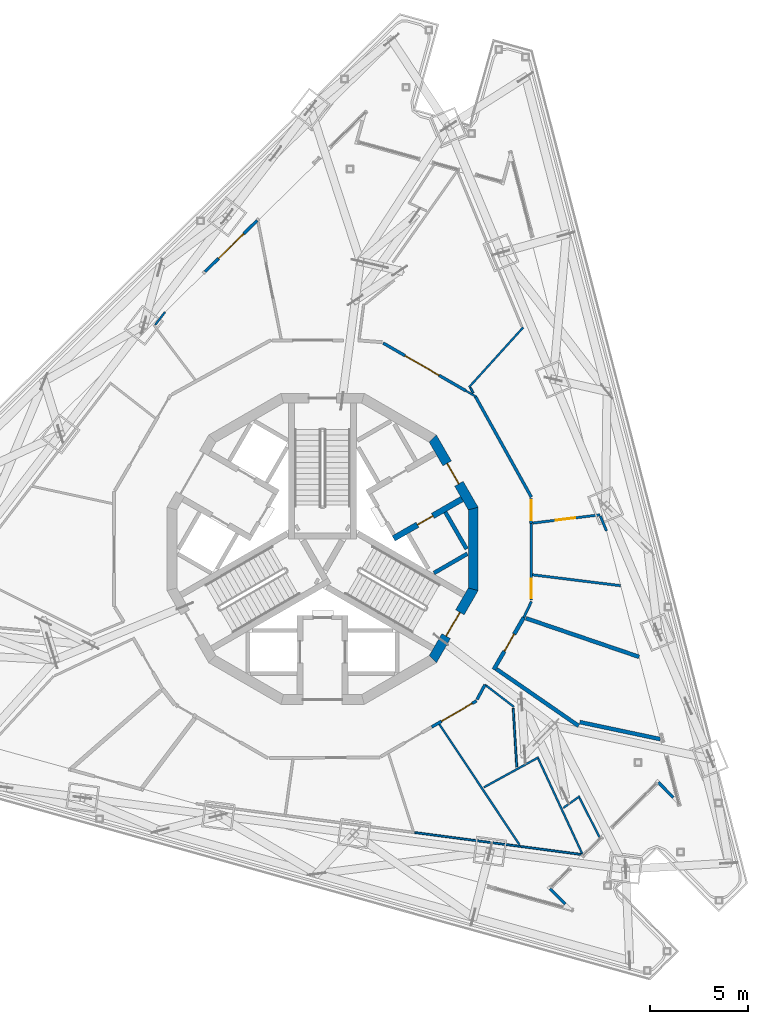
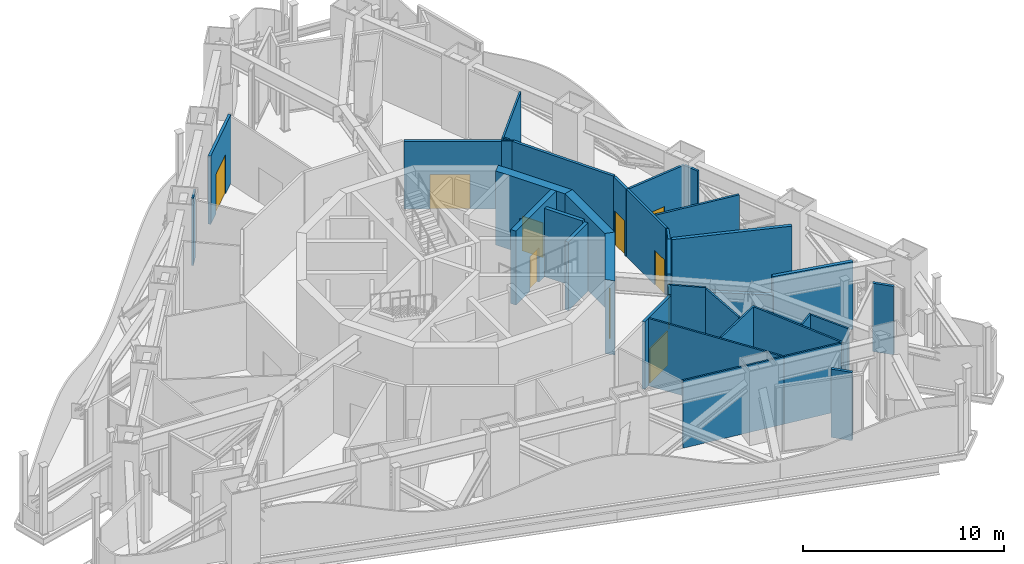
# One storey, part 12 of 22: 36 walls, 10 doors, 10 openings.
"""IFC4 building model written with IfcOpenShell, lengths in metres."""

from ifc_helpers import new_model, si_unit, direction, frame, frame_2d, origin, place, context, subcontext, project, spatial, polyline, rectangle, outline, extrude, material, layer, layer_set, type_object, element, fill, save


model = new_model("IFC4")

# Units and contexts
model_context = context("Model", 3, precision=1e-05, world=origin(), true_north=direction((0.0, 1.0)))
body_context = subcontext(model_context, "Body", "Model", "MODEL_VIEW")
ifc_project = project(units=[si_unit("LENGTHUNIT", "METRE"), si_unit("AREAUNIT", "SQUARE_METRE"), si_unit("VOLUMEUNIT", "CUBIC_METRE"), si_unit("PLANEANGLEUNIT", "RADIAN"), si_unit("MASSUNIT", "GRAM", prefix="KILO")], contexts=[model_context])

# Site, building, storey
site_placement = place(None, origin())
site = spatial("IfcSite", under=ifc_project, at=site_placement, CompositionType="ELEMENT")
building_placement = place(site_placement, origin())
building = spatial("IfcBuilding", under=site, at=building_placement, Name="Trine Commons Tower", CompositionType="ELEMENT")
storey_placement = place(building_placement, frame((0.0, 0.0, 267.300048828125)))
storey = spatial("IfcBuildingStorey", under=building, at=storey_placement, Name="L70", CompositionType="ELEMENT", Elevation=267.300048828125)

# Wall, opening, door
ifc_material_1 = material(Name="Plasterboard on steel stud", Category="steel")
ifc_layer_1 = layer(ifc_material_1, 0.14990234375)
ifc_layer_set_1 = layer_set([ifc_layer_1], Name="Plasterboard on steel stud")
wall_type_1 = type_object("IfcWallType", Name="Compartment wall 150 mm, EI 60", PredefinedType="PARTITIONING", material=ifc_layer_set_1)
wall_1_placement = place(storey_placement, frame((85.55712890625, 53.430908203125, 0.0), z_axis=(0.0, 0.0, 1.0), x_axis=(0.863745393584, 0.503928462246, 0.0)))
wall_1 = element("IfcWall", 1, at=wall_1_placement, inside=storey, type_object=wall_type_1, Name="Partition A70035", PredefinedType="PARTITIONING", context=body_context, shape_type="SweptSolid", body=[
    extrude(rectangle(XDim=2.642822265625, YDim=0.14990234375, at=frame_2d((1.3212890625, 0.0))), origin(), (0.0, 0.0, 1.0), 4.099853515625),
])
opening_1_placement = place(wall_1_placement, frame((0.583984375, 0.0, 0.0)))
opening_1 = element("IfcOpeningElement", 2, at=opening_1_placement, cuts=wall_1, Name="Opening D-A7011", PredefinedType="OPENING", context=body_context, shape_type="SweptSolid", body=[
    extrude(rectangle(XDim=1.800048828125, YDim=2.10009765625, at=frame_2d((0.89990234375, 1.050048828125))), frame((0.0, 0.0849609375, 0.0), z_axis=(0.0, -1.0, 0.0), x_axis=(1.0, 0.0, 0.0)), (0.0, 0.0, 1.0), 0.169921875),
])
ifc_material_2 = material(Name="Timber fire door set", Category="wood")
door_type_1 = type_object("IfcDoorType", Name="Double swing door 1800x2100, FD30S", OperationType="DOUBLE_DOOR_DOUBLE_SWING", PredefinedType="DOOR", material=ifc_material_2)
door_1_placement = place(opening_1_placement, origin())
door_1 = element("IfcDoor", 3, at=door_1_placement, inside=storey, type_object=door_type_1, Name="Door D-A7011", OperationType="DOUBLE_DOOR_DOUBLE_SWING", OverallHeight=2.10009765625, OverallWidth=1.800048828125, PredefinedType="DOOR", context=body_context, shape_type="SweptSolid", body=[
    extrude(rectangle(XDim=1.800048828125, YDim=2.10009765625, at=frame_2d((0.89990234375, 1.050048828125))), frame((0.0, 0.02490234375, 0.0), z_axis=(0.0, -1.0, 0.0), x_axis=(1.0, 0.0, 0.0)), (0.0, 0.0, 1.0), 0.050048828125),
])
fill(opening_1, door_1)

wall_2_placement = place(storey_placement, frame((87.293701171875, 70.552490234375, 0.0), z_axis=(0.0, 0.0, 1.0), x_axis=(-0.866013120021, 0.500021275498, 0.0)))
wall_2 = element("IfcWall", 4, at=wall_2_placement, inside=storey, type_object=wall_type_1, Name="Partition A70036", PredefinedType="PARTITIONING", context=body_context, shape_type="SweptSolid", body=[
    extrude(rectangle(XDim=4.856201171875, YDim=0.14990234375, at=frame_2d((2.42822265625, 0.0))), origin(), (0.0, 0.0, 1.0), 4.099853515625),
])
opening_2_placement = place(wall_2_placement, frame((1.56787109375, 0.0, 0.0)))
opening_2 = element("IfcOpeningElement", 5, at=opening_2_placement, cuts=wall_2, Name="Opening D-A7012", PredefinedType="OPENING", context=body_context, shape_type="SweptSolid", body=[
    extrude(rectangle(XDim=2.0, YDim=2.10009765625, at=frame_2d((1.0, 1.050048828125))), frame((0.0, 0.0849609375, 0.0), z_axis=(0.0, -1.0, 0.0), x_axis=(1.0, 0.0, 0.0)), (0.0, 0.0, 1.0), 0.169921875),
])
door_type_2 = type_object("IfcDoorType", Name="Double swing door 2000x2100, FD30S", OperationType="DOUBLE_DOOR_DOUBLE_SWING", PredefinedType="DOOR", material=ifc_material_2)
door_2_placement = place(opening_2_placement, origin())
door_2 = element("IfcDoor", 6, at=door_2_placement, inside=storey, type_object=door_type_2, Name="Door D-A7012", OperationType="DOUBLE_DOOR_DOUBLE_SWING", OverallHeight=2.10009765625, OverallWidth=2.0, PredefinedType="DOOR", context=body_context, shape_type="SweptSolid", body=[
    extrude(rectangle(XDim=2.0, YDim=2.10009765625, at=frame_2d((1.0, 1.050048828125))), frame((0.0, 0.02490234375, 0.0), z_axis=(0.0, -1.0, 0.0), x_axis=(1.0, 0.0, 0.0)), (0.0, 0.0, 1.0), 0.050048828125),
])
fill(opening_2, door_2)

# Walls
wall_3_placement = place(storey_placement, frame((87.86376953125, 54.828369140625, 0.0), z_axis=(0.0, 0.0, 1.0), x_axis=(0.47413366353, 0.880452877279, 0.0)))
element("IfcWall", 7, at=wall_3_placement, inside=storey, type_object=wall_type_1, Name="Partition A70047", PredefinedType="PARTITIONING", context=body_context, shape_type="SweptSolid", body=[
    extrude(rectangle(XDim=0.8603515625, YDim=0.14990234375, at=frame_2d((0.43017578125, 0.0))), origin(), (0.0, 0.0, 1.0), 4.099853515625),
])
wall_4_placement = place(storey_placement, frame((87.77490234375, 70.27490234375, 0.0), z_axis=(0.0, 0.0, 1.0), x_axis=(0.485907259315, -0.87401037485, 0.0)))
element("IfcWall", 8, at=wall_4_placement, inside=storey, type_object=wall_type_1, Name="Partition A70048", PredefinedType="PARTITIONING", context=body_context, shape_type="SweptSolid", body=[
    extrude(rectangle(XDim=5.881103515625, YDim=0.14990234375, at=frame_2d((2.9404296875, 0.0))), origin(), (0.0, 0.0, 1.0), 4.099853515625),
])

# Wall, opening, door
wall_5_placement = place(storey_placement, frame((90.62060546875, 63.80517578125, 0.0), z_axis=(0.0, 0.0, 1.0), x_axis=(0.0, 1.0, 0.0)))
wall_5 = element("IfcWall", 9, at=wall_5_placement, inside=storey, type_object=wall_type_1, Name="Partition A70060", PredefinedType="PARTITIONING", context=body_context, shape_type="SweptSolid", body=[
    extrude(rectangle(XDim=1.2607421875, YDim=0.14990234375, at=frame_2d((0.63037109375, 0.0))), origin(), (0.0, 0.0, 1.0), 4.099853515625),
])
opening_3_placement = place(wall_5_placement, frame((0.160888671875, 0.0, 0.0)))
opening_3 = element("IfcOpeningElement", 10, at=opening_3_placement, cuts=wall_5, Name="Opening D-A7015", PredefinedType="OPENING", context=body_context, shape_type="SweptSolid", body=[
    extrude(rectangle(XDim=1.0, YDim=2.10009765625, at=frame_2d((0.5, 1.050048828125))), frame((0.0, 0.0849609375, 0.0), z_axis=(0.0, -1.0, 0.0), x_axis=(1.0, 0.0, 0.0)), (0.0, 0.0, 1.0), 0.169921875),
])
door_type_3 = type_object("IfcDoorType", Name="Double swing door 1000x2100, FD30S", OperationType="DOUBLE_DOOR_DOUBLE_SWING", PredefinedType="DOOR", material=ifc_material_2)
door_3_placement = place(opening_3_placement, origin())
door_3 = element("IfcDoor", 11, at=door_3_placement, inside=storey, type_object=door_type_3, Name="Door D-A7015", OperationType="DOUBLE_DOOR_DOUBLE_SWING", OverallHeight=2.10009765625, OverallWidth=1.0, PredefinedType="DOOR", context=body_context, shape_type="SweptSolid", body=[
    extrude(rectangle(XDim=1.0, YDim=2.10009765625, at=frame_2d((0.5, 1.050048828125))), frame((0.0, 0.02490234375, 0.0), z_axis=(0.0, -1.0, 0.0), x_axis=(1.0, 0.0, 0.0)), (0.0, 0.0, 1.0), 0.050048828125),
])
fill(opening_3, door_3)

ifc_layer_2 = layer(ifc_material_1, 0.199951171875)
ifc_layer_set_2 = layer_set([ifc_layer_2], Name="Plasterboard on steel stud")
wall_type_2 = type_object("IfcWallType", Name="Fire wall 200 mm, EI 120", PredefinedType="PARTITIONING", material=ifc_layer_set_2)
wall_6_placement = place(storey_placement, frame((90.24609375, 59.005859375, 0.0), z_axis=(0.0, 0.0, 1.0), x_axis=(-0.499964040811, -0.866046163836, 0.0)))
wall_6 = element("IfcWall", 12, at=wall_6_placement, inside=storey, type_object=wall_type_2, Name="Partition A70051", PredefinedType="PARTITIONING", context=body_context, shape_type="SweptSolid", body=[
    extrude(rectangle(XDim=3.061767578125, YDim=0.199951171875, at=frame_2d((1.53076171875, 0.0))), origin(), (0.0, 0.0, 1.0), 4.099853515625),
])
opening_4_placement = place(wall_6_placement, frame((0.98095703125, 0.0, 0.0)))
opening_4 = element("IfcOpeningElement", 13, at=opening_4_placement, cuts=wall_6, Name="Opening D-A7013", PredefinedType="OPENING", context=body_context, shape_type="SweptSolid", body=[
    extrude(rectangle(XDim=1.0, YDim=2.10009765625, at=frame_2d((0.5, 1.050048828125))), frame((0.0, 0.10986328125, 0.0), z_axis=(0.0, -1.0, 0.0), x_axis=(1.0, 0.0, 0.0)), (0.0, 0.0, 1.0), 0.219970703125),
])
door_type_4 = type_object("IfcDoorType", Name="Single swing door 1000x2100, FD30S", OperationType="SINGLE_SWING_LEFT", PredefinedType="DOOR", material=ifc_material_2)
door_4_placement = place(opening_4_placement, origin())
door_4 = element("IfcDoor", 14, at=door_4_placement, inside=storey, type_object=door_type_4, Name="Door D-A7013", OperationType="SINGLE_SWING_LEFT", OverallHeight=2.10009765625, OverallWidth=1.0, PredefinedType="DOOR", context=body_context, shape_type="SweptSolid", body=[
    extrude(rectangle(XDim=1.0, YDim=2.10009765625, at=frame_2d((0.5, 1.050048828125))), frame((0.0, 0.02490234375, 0.0), z_axis=(0.0, -1.0, 0.0), x_axis=(1.0, 0.0, 0.0)), (0.0, 0.0, 1.0), 0.050048828125),
])
fill(opening_4, door_4)

# Walls
wall_7_placement = place(storey_placement, frame((88.856201171875, 56.378173828125, 0.0), z_axis=(0.0, 0.0, 1.0), x_axis=(0.82261919735, -0.568592697941, 0.0)))
element("IfcWall", 15, at=wall_7_placement, inside=storey, type_object=wall_type_2, Name="Partition A70052", PredefinedType="PARTITIONING", context=body_context, shape_type="SweptSolid", body=[
    extrude(rectangle(XDim=5.081298828125, YDim=0.199951171875, at=frame_2d((2.54052734375, 0.0))), origin(), (0.0, 0.0, 1.0), 3.119873046875),
])
wall_8_placement = place(storey_placement, frame((90.361328125, 58.96630859375, 0.0), z_axis=(0.0, 0.0, 1.0), x_axis=(0.946468661958, -0.322795712381, 0.0)))
element("IfcWall", 16, at=wall_8_placement, inside=storey, type_object=wall_type_2, Name="Partition A70056", PredefinedType="PARTITIONING", context=body_context, shape_type="SweptSolid", body=[
    extrude(rectangle(XDim=6.08154296875, YDim=0.199951171875, at=frame_2d((3.040771484375, 0.0))), origin(), (0.0, 0.0, 1.0), 4.099853515625),
])
wall_9_placement = place(storey_placement, frame((93.097412109375, 53.68017578125, 0.0), z_axis=(0.0, 0.0, 1.0), x_axis=(0.978347889036, -0.206967166526, 0.0)))
element("IfcWall", 17, at=wall_9_placement, inside=storey, type_object=wall_type_2, Name="Partition A70064", PredefinedType="PARTITIONING", context=body_context, shape_type="SweptSolid", body=[
    extrude(rectangle(XDim=4.1923828125, YDim=0.199951171875, at=frame_2d((2.09619140625, 0.0))), origin(), (0.0, 0.0, 1.0), 4.099853515625),
])

# Wall, opening, door
ifc_material_3 = material(Name="Aluminium-framed insulated wall panel", Category="aluminium")
ifc_layer_3 = layer(ifc_material_3, 0.14990234375)
ifc_layer_set_3 = layer_set([ifc_layer_3], Name="Aluminium-framed insulated wall panel")
wall_type_3 = type_object("IfcWallType", Name="Glazed entrance wall 150, EI 60", PredefinedType="SOLIDWALL", material=ifc_layer_set_3)
wall_10_placement = place(storey_placement, frame((74.007568359375, 76.60791015625, 0.0), z_axis=(0.0, 0.0, 1.0), x_axis=(0.713243750548, 0.700916080786, 0.0)))
wall_10 = element("IfcWall", 18, at=wall_10_placement, inside=storey, type_object=wall_type_3, Name="Glazed entrance wall L70 F1 7", PredefinedType="SOLIDWALL", context=body_context, shape_type="SweptSolid", body=[
    extrude(rectangle(XDim=3.742919921875, YDim=0.14990234375, at=frame_2d((1.87158203125, 0.0))), origin(), (0.0, 0.0, 1.0), 4.14990234375),
])
opening_5_placement = place(wall_10_placement, frame((0.971435546875, 0.0, 0.0)))
opening_5 = element("IfcOpeningElement", 19, at=opening_5_placement, cuts=wall_10, Name="Opening SD-L70-F1-07", PredefinedType="OPENING", context=body_context, shape_type="SweptSolid", body=[
    extrude(rectangle(XDim=1.800048828125, YDim=2.39990234375, at=frame_2d((0.89990234375, 1.199951171875))), frame((0.0, 0.0849609375, 0.0), z_axis=(0.0, -1.0, 0.0), x_axis=(1.0, 0.0, 0.0)), (0.0, 0.0, 1.0), 0.169921875),
])
ifc_material_4 = material(Name="Anodised aluminium frame with double glazing", Category="aluminium")
door_type_5 = type_object("IfcDoorType", Name="Sliding double door 1800x2400", OperationType="DOUBLE_DOOR_SLIDING", PredefinedType="DOOR", material=ifc_material_4)
door_5_placement = place(opening_5_placement, origin())
door_5 = element("IfcDoor", 20, at=door_5_placement, inside=storey, type_object=door_type_5, Name="Loggia door L70 F1 7", OperationType="DOUBLE_DOOR_SLIDING", OverallHeight=2.39990234375, OverallWidth=1.800048828125, PredefinedType="DOOR", context=body_context, shape_type="SweptSolid", body=[
    extrude(rectangle(XDim=1.800048828125, YDim=2.39990234375, at=frame_2d((0.89990234375, 1.199951171875))), frame((0.0, 0.02490234375, 0.0), z_axis=(0.0, -1.0, 0.0), x_axis=(1.0, 0.0, 0.0)), (0.0, 0.0, 1.0), 0.050048828125),
])
fill(opening_5, door_5)

# Walls
ifc_layer_4 = layer(ifc_material_3, 0.14990234375)
ifc_layer_set_4 = layer_set([ifc_layer_4], Name="Aluminium-framed insulated wall panel")
wall_type_4 = type_object("IfcWallType", Name="Glazed frame wall 150, EI 60", PredefinedType="SOLIDWALL", material=ifc_layer_set_4)
wall_11_placement = place(storey_placement, frame((97.966796875, 49.731201171875, 0.0), z_axis=(0.0, 0.0, 1.0), x_axis=(-0.700999978355, 0.71316129336, 0.0)))
element("IfcWall", 21, at=wall_11_placement, inside=storey, type_object=wall_type_4, Name="Glazed frame wall L70 R6", PredefinedType="SOLIDWALL", context=body_context, shape_type="SweptSolid", body=[
    extrude(outline(polyline([(0.1494140625, 0.074951171875), (0.1494140625, -0.074951171875), (1.235107421875, -0.074951171875), (1.235107421875, 0.074951171875), (0.1494140625, 0.074951171875)])), origin(), (0.0, 0.0, 1.0), 4.14990234375),
])
wall_12_placement = place(storey_placement, frame((91.510498046875, 45.2724609375, 0.0), z_axis=(0.0, 0.0, 1.0), x_axis=(0.700999978355, -0.71316129336, 0.0)))
element("IfcWall", 22, at=wall_12_placement, inside=storey, type_object=wall_type_4, Name="Glazed frame wall L70 R8", PredefinedType="SOLIDWALL", context=body_context, shape_type="SweptSolid", body=[
    extrude(outline(polyline([(0.110107421875, 0.074951171875), (0.110107421875, -0.074951171875), (1.19580078125, -0.074951171875), (1.19580078125, 0.074951171875), (0.110107421875, 0.074951171875)])), origin(), (0.0, 0.0, 1.0), 4.14990234375),
])
ifc_layer_5 = layer(ifc_material_1, 0.10009765625)
ifc_layer_set_5 = layer_set([ifc_layer_5], Name="Plasterboard on steel stud")
wall_type_5 = type_object("IfcWallType", Name="Partition wall 100 mm stud, not rated", PredefinedType="PARTITIONING", material=ifc_layer_set_5)
wall_13_placement = place(storey_placement, frame((71.479736328125, 73.91259765625, 0.0), z_axis=(0.0, 0.0, 1.0), x_axis=(0.608757578609, 0.793356294792, 0.0)))
element("IfcWall", 23, at=wall_13_placement, inside=storey, type_object=wall_type_5, Name="Partition A70020", PredefinedType="PARTITIONING", context=body_context, shape_type="SweptSolid", body=[
    extrude(rectangle(XDim=0.8173828125, YDim=0.10009765625, at=frame_2d((0.40869140625, 0.0))), origin(), (0.0, 0.0, 1.0), 4.099853515625),
])
wall_14_placement = place(storey_placement, frame((84.695556640625, 48.056396484375, 0.0), z_axis=(0.0, 0.0, 1.0), x_axis=(0.991449251055, -0.130492844946, 0.0)))
element("IfcWall", 24, at=wall_14_placement, inside=storey, type_object=wall_type_5, Name="Partition A70041", PredefinedType="PARTITIONING", context=body_context, shape_type="SweptSolid", body=[
    extrude(rectangle(XDim=5.436767578125, YDim=0.10009765625, at=frame_2d((2.71826171875, 0.0))), origin(), (0.0, 0.0, 1.0), 4.099853515625),
])
wall_15_placement = place(storey_placement, frame((85.941162109375, 53.576171875, 0.0), z_axis=(0.0, 0.0, 1.0), x_axis=(0.55418052951, -0.832396504505, 0.0)))
element("IfcWall", 25, at=wall_15_placement, inside=storey, type_object=wall_type_5, Name="Partition A70042", PredefinedType="PARTITIONING", context=body_context, shape_type="SweptSolid", body=[
    extrude(rectangle(XDim=7.373779296875, YDim=0.10009765625, at=frame_2d((3.68701171875, 0.0))), origin(), (0.0, 0.0, 1.0), 4.099853515625),
])
wall_16_placement = place(storey_placement, frame((87.295166015625, 70.5517578125, 0.0), z_axis=(0.0, 0.0, 1.0), x_axis=(0.865955154139, -0.50012165622, 0.0)))
element("IfcWall", 26, at=wall_16_placement, inside=storey, type_object=wall_type_5, Name="Partition A70044", PredefinedType="PARTITIONING", context=body_context, shape_type="SweptSolid", body=[
    extrude(rectangle(XDim=0.599853515625, YDim=0.10009765625, at=frame_2d((0.2998046875, 0.0))), origin(), (0.0, 0.0, 1.0), 4.099853515625),
])
wall_17_placement = place(storey_placement, frame((87.455810546875, 70.73193359375, 0.0), z_axis=(0.0, 0.0, 1.0), x_axis=(0.671305300517, 0.74118094518, 0.0)))
element("IfcWall", 27, at=wall_17_placement, inside=storey, type_object=wall_type_5, Name="Partition A70045", PredefinedType="PARTITIONING", context=body_context, shape_type="SweptSolid", body=[
    extrude(rectangle(XDim=4.10888671875, YDim=0.10009765625, at=frame_2d((2.054443359375, 0.0))), origin(), (0.0, 0.0, 1.0), 4.099853515625),
])
wall_18_placement = place(storey_placement, frame((87.52490234375, 70.707763671875, 0.0), z_axis=(0.0, 0.0, 1.0), x_axis=(0.499790804427, -0.866146149221, 0.0)))
element("IfcWall", 28, at=wall_18_placement, inside=storey, type_object=wall_type_5, Name="Partition A70046", PredefinedType="PARTITIONING", context=body_context, shape_type="SweptSolid", body=[
    extrude(rectangle(XDim=0.309326171875, YDim=0.10009765625, at=frame_2d((0.15478515625, 0.0))), origin(), (0.0, 0.0, 1.0), 4.099853515625),
])
wall_19_placement = place(storey_placement, frame((88.273193359375, 55.58447265625, 0.0), z_axis=(0.0, 0.0, 1.0), x_axis=(0.793344915164, -0.608772408691, 0.0)))
element("IfcWall", 29, at=wall_19_placement, inside=storey, type_object=wall_type_5, Name="Partition A70049", PredefinedType="PARTITIONING", context=body_context, shape_type="SweptSolid", body=[
    extrude(rectangle(XDim=1.84912109375, YDim=0.10009765625, at=frame_2d((0.924560546875, 0.0))), origin(), (0.0, 0.0, 1.0), 4.099853515625),
])
wall_20_placement = place(storey_placement, frame((89.707275390625, 54.3798828125, 0.0), z_axis=(0.0, 0.0, 1.0), x_axis=(0.060522186199, -0.998166852274, 0.0)))
element("IfcWall", 30, at=wall_20_placement, inside=storey, type_object=wall_type_5, Name="Partition A70053", PredefinedType="PARTITIONING", context=body_context, shape_type="SweptSolid", body=[
    extrude(rectangle(XDim=2.989013671875, YDim=0.10009765625, at=frame_2d((1.49462890625, 0.0))), origin(), (0.0, 0.0, 1.0), 4.099853515625),
])
wall_21_placement = place(storey_placement, frame((90.090576171875, 47.34619140625, 0.0), z_axis=(0.0, 0.0, 1.0), x_axis=(0.991447845086, -0.13050352667, 0.0)))
element("IfcWall", 31, at=wall_21_placement, inside=storey, type_object=wall_type_5, Name="Partition A70054", PredefinedType="PARTITIONING", context=body_context, shape_type="SweptSolid", body=[
    extrude(rectangle(XDim=3.09228515625, YDim=0.10009765625, at=frame_2d((1.546142578125, 0.0))), origin(), (0.0, 0.0, 1.0), 4.099853515625),
])
wall_22_placement = place(storey_placement, frame((88.21533203125, 50.3583984375, 0.0), z_axis=(0.0, 0.0, 1.0), x_axis=(0.876437668336, 0.481515330516, 0.0)))
element("IfcWall", 32, at=wall_22_placement, inside=storey, type_object=wall_type_5, Name="Partition A70057", PredefinedType="PARTITIONING", context=body_context, shape_type="SweptSolid", body=[
    extrude(rectangle(XDim=3.18310546875, YDim=0.10009765625, at=frame_2d((1.591552734375, 0.0))), origin(), (0.0, 0.0, 1.0), 4.099853515625),
])
wall_23_placement = place(storey_placement, frame((90.98388671875, 51.818359375, 0.0), z_axis=(0.0, 0.0, 1.0), x_axis=(0.419628093876, -0.907696129126, 0.0)))
element("IfcWall", 33, at=wall_23_placement, inside=storey, type_object=wall_type_5, Name="Partition A70062", PredefinedType="PARTITIONING", context=body_context, shape_type="SweptSolid", body=[
    extrude(rectangle(XDim=5.350830078125, YDim=0.10009765625, at=frame_2d((2.67529296875, 0.0))), origin(), (0.0, 0.0, 1.0), 4.099853515625),
])
wall_24_placement = place(storey_placement, frame((92.261962890625, 49.3134765625, 0.0), z_axis=(0.0, 0.0, 1.0), x_axis=(0.814587044856, 0.580041331589, 0.0)))
element("IfcWall", 34, at=wall_24_placement, inside=storey, type_object=wall_type_5, Name="Partition A70063", PredefinedType="PARTITIONING", context=body_context, shape_type="SweptSolid", body=[
    extrude(rectangle(XDim=1.023193359375, YDim=0.10009765625, at=frame_2d((0.51171875, 0.0))), origin(), (0.0, 0.0, 1.0), 4.099853515625),
])
wall_25_placement = place(storey_placement, frame((93.0810546875, 49.826171875, 0.0), z_axis=(0.0, 0.0, 1.0), x_axis=(0.453150223241, -0.891434167607, 0.0)))
element("IfcWall", 35, at=wall_25_placement, inside=storey, type_object=wall_type_5, Name="Partition A70065", PredefinedType="PARTITIONING", context=body_context, shape_type="SweptSolid", body=[
    extrude(rectangle(XDim=2.249755859375, YDim=0.10009765625, at=frame_2d((1.125, 0.0))), origin(), (0.0, 0.0, 1.0), 4.099853515625),
])

# Wall, opening, door
ifc_material_5 = material(Name="Concrete C50/60", Category="concrete")
ifc_layer_6 = layer(ifc_material_5, 0.300048828125)
ifc_layer_set_6 = layer_set([ifc_layer_6], Name="Concrete C50/60")
wall_type_6 = type_object("IfcWallType", Name="RC shear wall 300 mm, C50/60", PredefinedType="SHEAR", material=ifc_layer_set_6)
wall_26_placement = place(storey_placement, frame((83.618896484375, 63.031005859375, 0.0), z_axis=(0.0, 0.0, 1.0), x_axis=(0.866071331441, 0.499920442526, 0.0)))
wall_26 = element("IfcWall", 36, at=wall_26_placement, inside=storey, type_object=wall_type_6, Name="Core cross wall SWD-06 L70", PredefinedType="SHEAR", context=body_context, shape_type="SweptSolid", body=[
    extrude(rectangle(XDim=4.020751953125, YDim=0.300048828125, at=frame_2d((2.01025390625, 0.0))), origin(), (0.0, 0.0, 1.0), 4.5),
])
opening_6_placement = place(wall_26_placement, frame((1.400390625, 0.0, 0.0)))
opening_6 = element("IfcOpeningElement", 37, at=opening_6_placement, cuts=wall_26, Name="Opening K18.11", PredefinedType="OPENING", context=body_context, shape_type="SweptSolid", body=[
    extrude(rectangle(XDim=0.89990234375, YDim=2.10009765625, at=frame_2d((0.449951171875, 1.050048828125))), frame((0.0, 0.159912109375, 0.0), z_axis=(0.0, -1.0, 0.0), x_axis=(1.0, 0.0, 0.0)), (0.0, 0.0, 1.0), 0.320068359375),
])
ifc_material_6 = material(Name="Steel door leaf, fire-rated", Category="steel")
door_type_6 = type_object("IfcDoorType", Name="Core room door, single leaf 900 x 2100, FD30S", OperationType="SINGLE_SWING_LEFT", PredefinedType="DOOR", material=ifc_material_6)
door_6_placement = place(opening_6_placement, frame((0.89990234375, 0.0, 0.0), z_axis=(0.0, 0.0, 1.0), x_axis=(-1.0, 0.0, 0.0)))
door_6 = element("IfcDoor", 38, at=door_6_placement, inside=storey, type_object=door_type_6, Name="Door to Comms room L70", OperationType="SINGLE_SWING_LEFT", OverallHeight=2.10009765625, OverallWidth=0.89990234375, PredefinedType="DOOR", context=body_context, shape_type="SweptSolid", body=[
    extrude(rectangle(XDim=0.89990234375, YDim=2.10009765625, at=frame_2d((0.449951171875, 1.050048828125))), frame((0.0, 0.02490234375, 0.0), z_axis=(0.0, -1.0, 0.0), x_axis=(1.0, 0.0, 0.0)), (0.0, 0.0, 1.0), 0.050048828125),
])
fill(opening_6, door_6)

# Wall
ifc_layer_7 = layer(ifc_material_5, 0.5)
ifc_layer_set_7 = layer_set([ifc_layer_7], Name="Concrete C50/60")
wall_type_7 = type_object("IfcWallType", Name="RC shear wall 500 mm, C50/60", PredefinedType="SHEAR", material=ifc_layer_set_7)
wall_27_placement = place(storey_placement, frame((87.670654296875, 60.377685546875, 0.0), z_axis=(0.0, 0.0, 1.0), x_axis=(0.0, 1.0, 0.0)))
element("IfcWall", 39, at=wall_27_placement, inside=storey, type_object=wall_type_7, Name="Core wall CWH-01 L70", PredefinedType="SHEAR", context=body_context, shape_type="SweptSolid", body=[
    extrude(outline(polyline([(0.0, -0.25), (4.24462890625, -0.25), (4.110595703125, 0.25), (0.134033203125, 0.25), (0.0, -0.25)])), origin(), (0.0, 0.0, 1.0), 4.5),
])

# Wall, opening, door
wall_28_placement = place(storey_placement, frame((87.7041015625, 64.497314453125, 0.0), z_axis=(0.0, 0.0, 1.0), x_axis=(-0.499992968425, 0.866029463428, 0.0)))
wall_28 = element("IfcWall", 40, at=wall_28_placement, inside=storey, type_object=wall_type_7, Name="Core wall CWH-02 L70", PredefinedType="SHEAR", context=body_context, shape_type="SweptSolid", body=[
    extrude(outline(polyline([(0.0, -0.25), (4.24462890625, -0.25), (4.110595703125, 0.25), (0.134033203125, 0.25), (0.0, -0.25)])), origin(), (0.0, 0.0, 1.0), 4.5),
])
opening_7_placement = place(wall_28_placement, frame((1.5224609375, 0.0, 0.0)))
opening_7 = element("IfcOpeningElement", 41, at=opening_7_placement, cuts=wall_28, Name="Opening K18.04", PredefinedType="OPENING", context=body_context, shape_type="SweptSolid", body=[
    extrude(rectangle(XDim=1.199951171875, YDim=2.10009765625, at=frame_2d((0.60009765625, 1.050048828125))), frame((0.0, 0.260009765625, 0.0), z_axis=(0.0, -1.0, 0.0), x_axis=(1.0, 0.0, 0.0)), (0.0, 0.0, 1.0), 0.52001953125),
])
ifc_material_7 = material(Name="Steel door leaves, fire-rated", Category="steel")
door_type_7 = type_object("IfcDoorType", Name="Lobby door, double leaf 1200 x 2100, FD60", OperationType="DOUBLE_DOOR_SINGLE_SWING", PredefinedType="DOOR", material=ifc_material_7)
door_7_placement = place(opening_7_placement, origin())
door_7 = element("IfcDoor", 42, at=door_7_placement, inside=storey, type_object=door_type_7, Name="Lobby door, Core lounge L70", OperationType="DOUBLE_DOOR_SINGLE_SWING", OverallHeight=2.10009765625, OverallWidth=1.199951171875, PredefinedType="DOOR", context=body_context, shape_type="SweptSolid", body=[
    extrude(rectangle(XDim=1.199951171875, YDim=2.10009765625, at=frame_2d((0.60009765625, 1.050048828125))), frame((0.0, 0.02490234375, 0.0), z_axis=(0.0, -1.0, 0.0), x_axis=(1.0, 0.0, 0.0)), (0.0, 0.0, 1.0), 0.050048828125),
])
fill(opening_7, door_7)

wall_29_placement = place(storey_placement, frame((85.581787109375, 56.82666015625, 0.0), z_axis=(0.0, 0.0, 1.0), x_axis=(0.499992968425, 0.866029463428, 0.0)))
wall_29 = element("IfcWall", 43, at=wall_29_placement, inside=storey, type_object=wall_type_7, Name="Core wall CWH-12 L70", PredefinedType="SHEAR", context=body_context, shape_type="SweptSolid", body=[
    extrude(outline(polyline([(0.0, -0.25), (4.24462890625, -0.25), (4.110595703125, 0.25), (0.134033203125, 0.25), (0.0, -0.25)])), origin(), (0.0, 0.0, 1.0), 4.5),
])
opening_8_placement = place(wall_29_placement, frame((1.42236328125, 0.0, 0.0)))
opening_8 = element("IfcOpeningElement", 44, at=opening_8_placement, cuts=wall_29, Name="Opening K18.03", PredefinedType="OPENING", context=body_context, shape_type="SweptSolid", body=[
    extrude(rectangle(XDim=1.39990234375, YDim=2.10009765625, at=frame_2d((0.699951171875, 1.050048828125))), frame((0.0, 0.260009765625, 0.0), z_axis=(0.0, -1.0, 0.0), x_axis=(1.0, 0.0, 0.0)), (0.0, 0.0, 1.0), 0.52001953125),
])
door_type_8 = type_object("IfcDoorType", Name="Stair door, double leaf 1400 x 2100, FD90", OperationType="DOUBLE_DOOR_SINGLE_SWING", PredefinedType="DOOR", material=ifc_material_7)
door_8_placement = place(opening_8_placement, origin())
door_8 = element("IfcDoor", 45, at=door_8_placement, inside=storey, type_object=door_type_8, Name="Stair door to Exit stair ST3D L70", OperationType="DOUBLE_DOOR_SINGLE_SWING", OverallHeight=2.10009765625, OverallWidth=1.39990234375, PredefinedType="DOOR", context=body_context, shape_type="SweptSolid", body=[
    extrude(rectangle(XDim=1.39990234375, YDim=2.10009765625, at=frame_2d((0.699951171875, 1.050048828125))), frame((0.0, 0.02490234375, 0.0), z_axis=(0.0, -1.0, 0.0), x_axis=(1.0, 0.0, 0.0)), (0.0, 0.0, 1.0), 0.050048828125),
])
fill(opening_8, door_8)

# Walls
ifc_material_8 = material(Name="Fire-rated gypsum shaft wall system")
ifc_layer_8 = layer(ifc_material_8, 0.199951171875)
ifc_layer_set_8 = layer_set([ifc_layer_8], Name="Fire-rated gypsum shaft wall system")
wall_type_8 = type_object("IfcWallType", Name="Shaft wall 200 mm, EI 120", PredefinedType="PARTITIONING", material=ifc_layer_set_8)
wall_30_placement = place(storey_placement, frame((85.675048828125, 61.27294921875, 0.0), z_axis=(0.0, 0.0, 1.0), x_axis=(0.86585547495, 0.500294209939, 0.0)))
element("IfcWall", 46, at=wall_30_placement, inside=storey, type_object=wall_type_8, Name="Shaft wall L70", PredefinedType="PARTITIONING", context=body_context, shape_type="SweptSolid", body=[
    extrude(rectangle(XDim=1.958740234375, YDim=0.199951171875, at=frame_2d((0.9794921875, 0.0))), origin(), (0.0, 0.0, 1.0), 4.14990234375),
])
wall_31_placement = place(storey_placement, frame((86.2490234375, 64.3759765625, 0.0), z_axis=(0.0, 0.0, 1.0), x_axis=(0.499865263774, -0.866103179807, 0.0)))
element("IfcWall", 47, at=wall_31_placement, inside=storey, type_object=wall_type_8, Name="Shaft wall L70", PredefinedType="PARTITIONING", context=body_context, shape_type="SweptSolid", body=[
    extrude(rectangle(XDim=2.17041015625, YDim=0.199951171875, at=frame_2d((1.085205078125, 0.0))), origin(), (0.0, 0.0, 1.0), 4.14990234375),
])
ifc_layer_9 = layer(ifc_material_1, 0.125)
ifc_layer_set_9 = layer_set([ifc_layer_9], Name="Plasterboard on steel stud")
wall_type_9 = type_object("IfcWallType", Name="Wet wall 125 mm stud, not rated", PredefinedType="PARTITIONING", material=ifc_layer_set_9)
wall_32_placement = place(storey_placement, frame((90.24609375, 59.00537109375, 0.0), z_axis=(0.0, 0.0, 1.0), x_axis=(0.429228262365, 0.903196046707, 0.0)))
element("IfcWall", 48, at=wall_32_placement, inside=storey, type_object=wall_type_9, Name="Partition A70055", PredefinedType="PARTITIONING", context=body_context, shape_type="SweptSolid", body=[
    extrude(rectangle(XDim=0.900390625, YDim=0.125, at=frame_2d((0.4501953125, 0.0))), origin(), (0.0, 0.0, 1.0), 4.099853515625),
])

# Wall, opening, door
wall_33_placement = place(storey_placement, frame((90.62060546875, 63.805419921875, 0.0), z_axis=(0.0, 0.0, 1.0), x_axis=(0.0, -1.0, 0.0)))
wall_33 = element("IfcWall", 49, at=wall_33_placement, inside=storey, type_object=wall_type_9, Name="Partition A70058", PredefinedType="PARTITIONING", context=body_context, shape_type="SweptSolid", body=[
    extrude(rectangle(XDim=3.91796875, YDim=0.125, at=frame_2d((1.958984375, 0.0))), origin(), (0.0, 0.0, 1.0), 4.099853515625),
])
opening_9_placement = place(wall_33_placement, frame((2.818115234375, 0.0, 0.0)))
opening_9 = element("IfcOpeningElement", 50, at=opening_9_placement, cuts=wall_33, Name="Opening D-A7014", PredefinedType="OPENING", context=body_context, shape_type="SweptSolid", body=[
    extrude(rectangle(XDim=1.0, YDim=2.10009765625, at=frame_2d((0.5, 1.050048828125))), frame((0.0, 0.072509765625, 0.0), z_axis=(0.0, -1.0, 0.0), x_axis=(1.0, 0.0, 0.0)), (0.0, 0.0, 1.0), 0.14501953125),
])
ifc_material_9 = material(Name="Painted timber", Category="wood")
door_type_9 = type_object("IfcDoorType", Name="Single swing door 1000x2100, not rated", OperationType="SINGLE_SWING_LEFT", PredefinedType="DOOR", material=ifc_material_9)
door_9_placement = place(opening_9_placement, origin())
door_9 = element("IfcDoor", 51, at=door_9_placement, inside=storey, type_object=door_type_9, Name="Door D-A7014", OperationType="SINGLE_SWING_LEFT", OverallHeight=2.10009765625, OverallWidth=1.0, PredefinedType="DOOR", context=body_context, shape_type="SweptSolid", body=[
    extrude(rectangle(XDim=1.0, YDim=2.10009765625, at=frame_2d((0.5, 1.050048828125))), frame((0.0, 0.02490234375, 0.0), z_axis=(0.0, -1.0, 0.0), x_axis=(1.0, 0.0, 0.0)), (0.0, 0.0, 1.0), 0.050048828125),
])
fill(opening_9, door_9)

# Wall
wall_34_placement = place(storey_placement, frame((90.690673828125, 61.180908203125, 0.0), z_axis=(0.0, 0.0, 1.0), x_axis=(0.992466853632, -0.122513445959, 0.0)))
element("IfcWall", 52, at=wall_34_placement, inside=storey, type_object=wall_type_9, Name="Partition A70059", PredefinedType="PARTITIONING", context=body_context, shape_type="SweptSolid", body=[
    extrude(rectangle(XDim=4.523681640625, YDim=0.125, at=frame_2d((2.26171875, 0.0))), origin(), (0.0, 0.0, 1.0), 4.099853515625),
])

# Wall, opening, door
wall_35_placement = place(storey_placement, frame((90.703125, 63.8154296875, 0.0), z_axis=(0.0, 0.0, 1.0), x_axis=(0.992531249652, 0.121990649088, 0.0)))
wall_35 = element("IfcWall", 53, at=wall_35_placement, inside=storey, type_object=wall_type_9, Name="Partition A70061", PredefinedType="PARTITIONING", context=body_context, shape_type="SweptSolid", body=[
    extrude(rectangle(XDim=3.440185546875, YDim=0.125, at=frame_2d((1.72021484375, 0.0))), origin(), (0.0, 0.0, 1.0), 4.099853515625),
])
opening_10_placement = place(wall_35_placement, frame((1.178466796875, 0.0, 0.0)))
opening_10 = element("IfcOpeningElement", 54, at=opening_10_placement, cuts=wall_35, Name="Opening D-A7016", PredefinedType="OPENING", context=body_context, shape_type="SweptSolid", body=[
    extrude(rectangle(XDim=1.0, YDim=2.10009765625, at=frame_2d((0.5, 1.050048828125))), frame((0.0, 0.072509765625, 0.0), z_axis=(0.0, -1.0, 0.0), x_axis=(1.0, 0.0, 0.0)), (0.0, 0.0, 1.0), 0.14501953125),
])
door_10_placement = place(opening_10_placement, origin())
door_10 = element("IfcDoor", 55, at=door_10_placement, inside=storey, type_object=door_type_9, Name="Door D-A7016", OperationType="SINGLE_SWING_LEFT", OverallHeight=2.10009765625, OverallWidth=1.0, PredefinedType="DOOR", context=body_context, shape_type="SweptSolid", body=[
    extrude(rectangle(XDim=1.0, YDim=2.10009765625, at=frame_2d((0.5, 1.050048828125))), frame((0.0, 0.02490234375, 0.0), z_axis=(0.0, -1.0, 0.0), x_axis=(1.0, 0.0, 0.0)), (0.0, 0.0, 1.0), 0.050048828125),
])
fill(opening_10, door_10)

# Wall
wall_36_placement = place(storey_placement, frame((94.141357421875, 64.177734375, 0.0), z_axis=(0.0, 0.0, 1.0), x_axis=(0.382762017913, -0.923846977396, 0.0)))
element("IfcWall", 56, at=wall_36_placement, inside=storey, type_object=wall_type_9, Name="Partition A70066", PredefinedType="PARTITIONING", context=body_context, shape_type="SweptSolid", body=[
    extrude(rectangle(XDim=0.823486328125, YDim=0.125, at=frame_2d((0.41162109375, 0.0))), origin(), (0.0, 0.0, 1.0), 4.099853515625),
])

save(model, "model.ifc")
